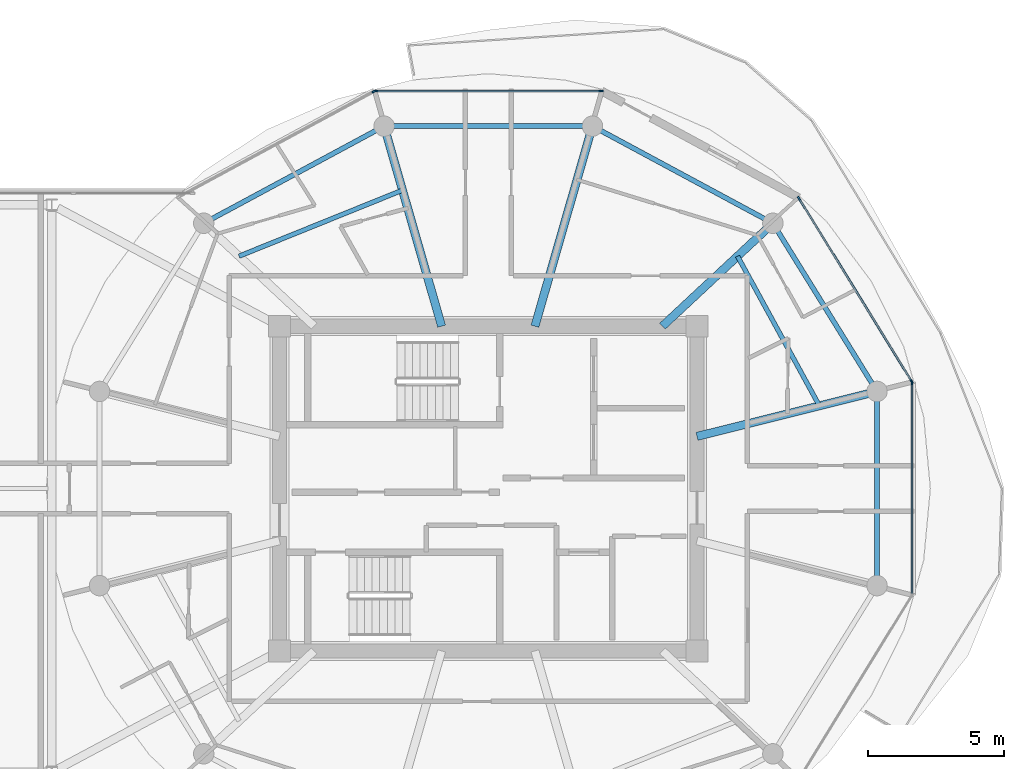
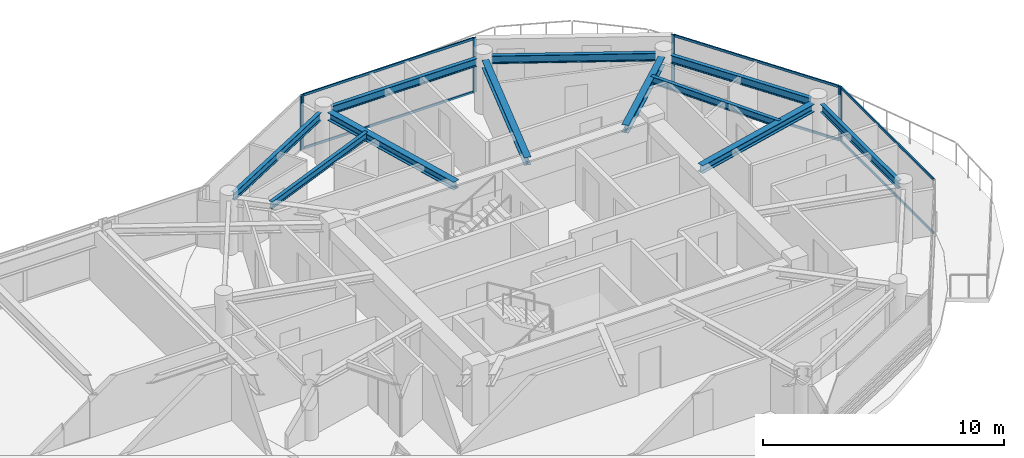
# One storey, part 10 of 23: 12 members, 11 beams, 4 elements without a shape of their own.
"""IFC4 building model written with IfcOpenShell, lengths in metres."""

from ifc_helpers import new_model, si_unit, direction, frame, origin, origin_2d, place, context, subcontext, project, spatial, rectangle, i_section, extrude, source, transform, mapped, material, layer, layer_set, material_profile, profile_set, type_object, type_shapes, element, aggregate, save


model = new_model("IFC4")

# Units and contexts
model_context = context("Model", 3, precision=1e-05, world=origin(), true_north=direction((0.0, 1.0)))
body_context = subcontext(model_context, "Body", "Model", "MODEL_VIEW")
ifc_project = project(units=[si_unit("LENGTHUNIT", "METRE"), si_unit("AREAUNIT", "SQUARE_METRE"), si_unit("VOLUMEUNIT", "CUBIC_METRE"), si_unit("PLANEANGLEUNIT", "RADIAN"), si_unit("MASSUNIT", "GRAM", prefix="KILO")], contexts=[model_context])

# Site, building, storey
site_placement = place(None, origin())
site = spatial("IfcSite", under=ifc_project, at=site_placement, CompositionType="ELEMENT")
building_placement = place(site_placement, origin())
building = spatial("IfcBuilding", under=site, at=building_placement, Name="Norrkilde Senior Care Towers", CompositionType="ELEMENT")
storey_placement = place(building_placement, frame((0.0, 0.0, 216.949951171875)))
storey = spatial("IfcBuildingStorey", under=building, at=storey_placement, Name="L67", CompositionType="ELEMENT", Elevation=216.949951171875)

# Beams
ifc_material_1 = material(Name="Steel S355", Category="steel")
ifc_material_profile_1 = material_profile(ifc_material_1, i_section(OverallWidth=0.179931640625, OverallDepth=0.39990234375, WebThickness=0.008544921875, FlangeThickness=0.013427734375, FilletRadius=0.02099609375, at=origin_2d()), Name="IPE 400")
ifc_profile_set_1 = profile_set([ifc_material_profile_1], Name="Steel S355")
beam_type_1 = type_object("IfcBeamType", Name="Perimeter Ring Spandrel Z4 IPE400", PredefinedType="SPANDREL", material=ifc_profile_set_1)
shared_shape_1 = source(origin(), body_context, "Body", "SweptSolid", [
    extrude(i_section(OverallWidth=0.179931640625, OverallDepth=0.39990234375, WebThickness=0.008544921875, FlangeThickness=0.013427734375, FilletRadius=0.02099609375, at=origin_2d()), origin(), (0.0, 0.0, 1.0), 6.58056640625),
])
beam_1_placement = place(storey_placement, frame((42.071044921875, 3.843505859375, 2.56005859375), z_axis=(-0.526529583789, 0.850156807533, 0.0), x_axis=(-0.850156807533, -0.526529583789, 0.0)))
element("IfcBeam", 1, at=beam_1_placement, inside=storey, type_object=beam_type_1, Name="L67 Drum E Perimeter Spandrel 01", PredefinedType="SPANDREL", context=body_context, shape_type="MappedRepresentation", body=[
    mapped(shared_shape_1, transform((0.0, 0.0, 0.0), x_axis=(1.0, 0.0, 0.0), y_axis=(0.0, 1.0, 0.0), z_axis=(0.0, 0.0, 1.0), scale=1.0)),
])
ifc_material_profile_2 = material_profile(ifc_material_1, i_section(OverallWidth=0.300048828125, OverallDepth=0.39990234375, WebThickness=0.013427734375, FlangeThickness=0.02392578125, FilletRadius=0.027099609375, at=origin_2d()), Name="HEB 400")
ifc_profile_set_2 = profile_set([ifc_material_profile_2], Name="Steel S355")
beam_type_2 = type_object("IfcBeamType", Name="Radial Floor Beam Z4 HEB400", PredefinedType="BEAM", material=ifc_profile_set_2)
shared_shape_2 = source(origin(), body_context, "Body", "SweptSolid", [
    extrude(i_section(OverallWidth=0.300048828125, OverallDepth=0.39990234375, WebThickness=0.013427734375, FlangeThickness=0.02392578125, FilletRadius=0.027099609375, at=origin_2d()), origin(), (0.0, 0.0, 1.0), 6.465087890625),
])
beam_2_placement = place(storey_placement, frame((35.64990234375, 1.910888671875, 2.56005859375), z_axis=(0.970195788563, 0.242322371758, 0.0), x_axis=(-0.242322371758, 0.970195788563, 0.0)))
element("IfcBeam", 2, at=beam_2_placement, inside=storey, type_object=beam_type_2, Name="L67 Drum E Radial Floor Beam 01", PredefinedType="BEAM", context=body_context, shape_type="MappedRepresentation", body=[
    mapped(shared_shape_2, transform((0.0, 0.0, 0.0), x_axis=(1.0, 0.0, 0.0), y_axis=(0.0, 1.0, 0.0), z_axis=(0.0, 0.0, 1.0), scale=1.0)),
])
shared_shape_3 = source(origin(), body_context, "Body", "SweptSolid", [
    extrude(i_section(OverallWidth=0.179931640625, OverallDepth=0.39990234375, WebThickness=0.008544921875, FlangeThickness=0.013427734375, FilletRadius=0.02099609375, at=origin_2d()), origin(), (0.0, 0.0, 1.0), 6.839111328125),
])
for number, where, z_axis, x_axis, name in (
    (3, (38.134765625, 9.881591796875, 2.56005859375), (-0.880563930732, 0.473927382511, 0.0), (-0.473927382511, -0.880563930732, 0.0), "L67 Drum E Perimeter Spandrel 02"),
    (4, (23.887451171875, 13.122802734375, 2.56005859375), (-0.880563930732, -0.473927382511, 0.0), (0.473927382511, -0.880563930732, 0.0), "L67 Drum E Perimeter Spandrel 04"),
):
    element("IfcBeam", number, at=place(storey_placement, frame(where, z_axis=z_axis, x_axis=x_axis)), inside=storey, type_object=beam_type_1, Name=name, PredefinedType="SPANDREL", context=body_context, shape_type="MappedRepresentation", body=[
        mapped(shared_shape_3, transform((0.0, 0.0, 0.0), x_axis=(1.0, 0.0, 0.0), y_axis=(0.0, 1.0, 0.0), z_axis=(0.0, 0.0, 1.0), scale=1.0)),
    ])
shared_shape_4 = source(origin(), body_context, "Body", "SweptSolid", [
    extrude(i_section(OverallWidth=0.300048828125, OverallDepth=0.39990234375, WebThickness=0.013427734375, FlangeThickness=0.02392578125, FilletRadius=0.027099609375, at=origin_2d()), origin(), (0.0, 0.0, 1.0), 5.197998046875),
])
beam_3_placement = place(storey_placement, frame((34.3828125, 5.949951171875, 2.56005859375), z_axis=(0.731448749334, 0.681896419625, 0.0), x_axis=(-0.681896419625, 0.731448749334, 0.0)))
element("IfcBeam", 5, at=beam_3_placement, inside=storey, type_object=beam_type_2, Name="L67 Drum E Radial Floor Beam 02", PredefinedType="BEAM", context=body_context, shape_type="MappedRepresentation", body=[
    mapped(shared_shape_4, transform((0.0, 0.0, 0.0), x_axis=(1.0, 0.0, 0.0), y_axis=(0.0, 1.0, 0.0), z_axis=(0.0, 0.0, 1.0), scale=1.0)),
])
shared_shape_5 = source(origin(), body_context, "Body", "SweptSolid", [
    extrude(i_section(OverallWidth=0.179931640625, OverallDepth=0.39990234375, WebThickness=0.008544921875, FlangeThickness=0.013427734375, FilletRadius=0.02099609375, at=origin_2d()), origin(), (0.0, 0.0, 1.0), 6.96533203125),
])
beam_4_placement = place(storey_placement, frame((31.482666015625, 13.281494140625, 2.56005859375), z_axis=(-1.0, 0.0, 0.0), x_axis=(0.0, -1.0, 0.0)))
element("IfcBeam", 6, at=beam_4_placement, inside=storey, type_object=beam_type_1, Name="L67 Drum E Perimeter Spandrel 03", PredefinedType="SPANDREL", context=body_context, shape_type="MappedRepresentation", body=[
    mapped(shared_shape_5, transform((0.0, 0.0, 0.0), x_axis=(1.0, 0.0, 0.0), y_axis=(0.0, 1.0, 0.0), z_axis=(0.0, 0.0, 1.0), scale=1.0)),
])
shared_shape_6 = source(origin(), body_context, "Body", "SweptSolid", [
    extrude(i_section(OverallWidth=0.300048828125, OverallDepth=0.39990234375, WebThickness=0.013427734375, FlangeThickness=0.02392578125, FilletRadius=0.027099609375, at=origin_2d()), origin(), (0.0, 0.0, 1.0), 7.29345703125),
])
type_shapes(beam_type_2, [shared_shape_2, shared_shape_4, shared_shape_6])
for number, where, z_axis, x_axis, name in (
    (7, (29.710205078125, 5.949951171875, 2.56005859375), (0.276263751906, 0.961081858836, 0.0), (-0.961081858836, 0.276263751906, 0.0), "L67 Drum E Radial Floor Beam 03"),
    (8, (26.289794921875, 5.949951171875, 2.56005859375), (-0.276263751906, 0.961081858836, 0.0), (-0.961081858836, -0.276263751906, 0.0), "L67 Drum E Radial Floor Beam 04"),
):
    element("IfcBeam", number, at=place(storey_placement, frame(where, z_axis=z_axis, x_axis=x_axis)), inside=storey, type_object=beam_type_2, Name=name, PredefinedType="BEAM", context=body_context, shape_type="MappedRepresentation", body=[
        mapped(shared_shape_6, transform((0.0, 0.0, 0.0), x_axis=(1.0, 0.0, 0.0), y_axis=(0.0, 1.0, 0.0), z_axis=(0.0, 0.0, 1.0), scale=1.0)),
    ])
shared_shape_7 = source(origin(), body_context, "Body", "SweptSolid", [
    extrude(i_section(OverallWidth=0.179931640625, OverallDepth=0.39990234375, WebThickness=0.008544921875, FlangeThickness=0.013427734375, FilletRadius=0.02099609375, at=origin_2d()), origin(), (0.0, 0.0, 1.0), 6.44775390625),
])
type_shapes(beam_type_1, [shared_shape_1, shared_shape_3, shared_shape_5, shared_shape_7])
beam_5_placement = place(storey_placement, frame((42.247314453125, -3.223876953125, 2.56005859375), z_axis=(0.0, 1.0, 0.0), x_axis=(-1.0, 0.0, 0.0)))
element("IfcBeam", 9, at=beam_5_placement, inside=storey, type_object=beam_type_1, Name="L67 Drum E Perimeter Spandrel 12", PredefinedType="SPANDREL", context=body_context, shape_type="MappedRepresentation", body=[
    mapped(shared_shape_7, transform((0.0, 0.0, 0.0), x_axis=(1.0, 0.0, 0.0), y_axis=(0.0, 1.0, 0.0), z_axis=(0.0, 0.0, 1.0), scale=1.0)),
])
ifc_material_profile_3 = material_profile(ifc_material_1, i_section(OverallWidth=0.169921875, OverallDepth=0.360107421875, WebThickness=0.008056640625, FlangeThickness=0.0126953125, FilletRadius=0.01806640625, at=origin_2d()), Name="IPE 360")
ifc_profile_set_3 = profile_set([ifc_material_profile_3], Name="Steel S355")
beam_type_3 = type_object("IfcBeamType", Name="Secondary Floor Joist IPE360", PredefinedType="JOIST", material=ifc_profile_set_3)
shared_shape_8 = source(origin(), body_context, "Body", "SweptSolid", [
    extrude(i_section(OverallWidth=0.169921875, OverallDepth=0.360107421875, WebThickness=0.008056640625, FlangeThickness=0.0126953125, FilletRadius=0.01806640625, at=origin_2d()), origin(), (0.0, 0.0, 1.0), 6.461669921875),
])
beam_6_placement = place(storey_placement, frame((24.856689453125, 10.935302734375, 2.580078125), z_axis=(-0.927225942298, -0.374502405772, 0.0), x_axis=(0.374502405772, -0.927225942298, 0.0)))
element("IfcBeam", 10, at=beam_6_placement, inside=storey, type_object=beam_type_3, Name="L67 Drum E Secondary Floor Joist 2", PredefinedType="JOIST", context=body_context, shape_type="MappedRepresentation", body=[
    mapped(shared_shape_8, transform((0.0, 0.0, 0.0), x_axis=(1.0, 0.0, 0.0), y_axis=(0.0, 1.0, 0.0), z_axis=(0.0, 0.0, 1.0), scale=1.0)),
])
shared_shape_9 = source(origin(), body_context, "Body", "SweptSolid", [
    extrude(i_section(OverallWidth=0.169921875, OverallDepth=0.360107421875, WebThickness=0.008056640625, FlangeThickness=0.0126953125, FilletRadius=0.01806640625, at=origin_2d()), origin(), (0.0, 0.0, 1.0), 6.25146484375),
])
type_shapes(beam_type_3, [shared_shape_8, shared_shape_9])
beam_7_placement = place(storey_placement, frame((40.13623046875, 3.031494140625, 2.580078125), z_axis=(-0.480115752653, 0.877205143655, 0.0), x_axis=(-0.877205143655, -0.480115752653, 0.0)))
element("IfcBeam", 11, at=beam_7_placement, inside=storey, type_object=beam_type_3, Name="L67 Drum E Secondary Floor Joist 1", PredefinedType="JOIST", context=body_context, shape_type="MappedRepresentation", body=[
    mapped(shared_shape_9, transform((0.0, 0.0, 0.0), x_axis=(1.0, 0.0, 0.0), y_axis=(0.0, 1.0, 0.0), z_axis=(0.0, 0.0, 1.0), scale=1.0)),
])

# Curtain wall, members
ifc_material_2 = material(Name="Triple Low-E Insulated Glazing", Category="glass")
ifc_layer = layer(ifc_material_2, 0.18505859375)
ifc_layer_set = layer_set([ifc_layer], Name="Triple Low-E Insulated Glazing")
curtain_wall_type = type_object("IfcCurtainWallType", Name="CW6 Zone 4 Crown Pavilion Curtain Wall", PredefinedType="NOTDEFINED", material=ifc_layer_set)
curtain_wall_1_placement = place(storey_placement, origin())
curtain_wall_1 = element("IfcCurtainWall", 12, at=curtain_wall_1_placement, inside=storey, type_object=curtain_wall_type, Name="L67 Drum E Curtain Wall 00", PredefinedType="NOTDEFINED")
ifc_material_3 = material(Name="Anodised Aluminium", Category="aluminium")
ifc_material_profile_4 = material_profile(ifc_material_3, rectangle(XDim=0.06005859375, YDim=0.1201171875, at=origin_2d()), Name="ALU TRAN 60x120")
ifc_profile_set_4 = profile_set([ifc_material_profile_4], Name="Anodised Aluminium")
member_type_1 = type_object("IfcMemberType", Name="Curtain Wall Transom Typical 60x120", PredefinedType="USERDEFINED", material=ifc_profile_set_4)
shared_shape_10 = source(origin(), body_context, "Body", "SweptSolid", [
    extrude(rectangle(XDim=0.06005859375, YDim=0.1201171875, at=origin_2d()), origin(), (0.0, 0.0, 1.0), 7.808837890625),
])
member_1_placement = place(storey_placement, frame((39.404296875, 10.60791015625, 0.030029296875), z_axis=(0.524250924101, -0.851563837055, 0.0), x_axis=(0.851563837055, 0.524250924101, 0.0)))
member_1 = element("IfcMember", 13, at=member_1_placement, type_object=member_type_1, Name="CW-6 transom 1.1", ObjectType="TRANSOM", PredefinedType="USERDEFINED", context=body_context, shape_type="MappedRepresentation", body=[
    mapped(shared_shape_10, transform((0.0, 0.0, 0.0), x_axis=(1.0, 0.0, 0.0), y_axis=(0.0, 1.0, 0.0), z_axis=(0.0, 0.0, 1.0), scale=1.0)),
])
member_2_placement = place(storey_placement, frame((39.404296875, 10.60791015625, 2.72998046875), z_axis=(0.524250924101, -0.851563837055, 0.0), x_axis=(0.851563837055, 0.524250924101, 0.0)))
member_2 = element("IfcMember", 14, at=member_2_placement, type_object=member_type_1, Name="CW-6 transom 1.2", ObjectType="TRANSOM", PredefinedType="USERDEFINED", context=body_context, shape_type="MappedRepresentation", body=[
    mapped(shared_shape_10, transform((0.0, 0.0, 0.0), x_axis=(1.0, 0.0, 0.0), y_axis=(0.0, 1.0, 0.0), z_axis=(0.0, 0.0, 1.0), scale=1.0)),
])

curtain_wall_2_placement = place(storey_placement, origin())
curtain_wall_2 = element("IfcCurtainWall", 15, at=curtain_wall_2_placement, inside=storey, type_object=curtain_wall_type, Name="L67 Drum E Curtain Wall 02", PredefinedType="NOTDEFINED")
shared_shape_11 = source(origin(), body_context, "Body", "SweptSolid", [
    extrude(rectangle(XDim=0.06005859375, YDim=0.1201171875, at=origin_2d()), origin(), (0.0, 0.0, 1.0), 8.19384765625),
])
member_3_placement = place(storey_placement, frame((23.903076171875, 14.566162109375, 0.030029296875), z_axis=(1.0, 0.0, 0.0), x_axis=(0.0, 1.0, 0.0)))
member_3 = element("IfcMember", 16, at=member_3_placement, type_object=member_type_1, Name="CW-6 transom 1.1", ObjectType="TRANSOM", PredefinedType="USERDEFINED", context=body_context, shape_type="MappedRepresentation", body=[
    mapped(shared_shape_11, transform((0.0, 0.0, 0.0), x_axis=(1.0, 0.0, 0.0), y_axis=(0.0, 1.0, 0.0), z_axis=(0.0, 0.0, 1.0), scale=1.0)),
])
member_4_placement = place(storey_placement, frame((23.903076171875, 14.566162109375, 2.72998046875), z_axis=(1.0, 0.0, 0.0), x_axis=(0.0, 1.0, 0.0)))
member_4 = element("IfcMember", 17, at=member_4_placement, type_object=member_type_1, Name="CW-6 transom 1.2", ObjectType="TRANSOM", PredefinedType="USERDEFINED", context=body_context, shape_type="MappedRepresentation", body=[
    mapped(shared_shape_11, transform((0.0, 0.0, 0.0), x_axis=(1.0, 0.0, 0.0), y_axis=(0.0, 1.0, 0.0), z_axis=(0.0, 0.0, 1.0), scale=1.0)),
])

curtain_wall_3_placement = place(storey_placement, origin())
curtain_wall_3 = element("IfcCurtainWall", 18, at=curtain_wall_3_placement, inside=storey, type_object=curtain_wall_type, Name="L67 Drum E Curtain Wall 11", PredefinedType="NOTDEFINED")
shared_shape_12 = source(origin(), body_context, "Body", "SweptSolid", [
    extrude(rectangle(XDim=0.06005859375, YDim=0.1201171875, at=origin_2d()), origin(), (0.0, 0.0, 1.0), 7.67578125),
])
type_shapes(member_type_1, [shared_shape_10, shared_shape_11, shared_shape_12])
member_5_placement = place(storey_placement, frame((43.531982421875, 3.837890625, 0.030029296875), z_axis=(0.0, -1.0, 0.0), x_axis=(1.0, 0.0, 0.0)))
member_5 = element("IfcMember", 19, at=member_5_placement, type_object=member_type_1, Name="CW-6 transom 1.1", ObjectType="TRANSOM", PredefinedType="USERDEFINED", context=body_context, shape_type="MappedRepresentation", body=[
    mapped(shared_shape_12, transform((0.0, 0.0, 0.0), x_axis=(1.0, 0.0, 0.0), y_axis=(0.0, 1.0, 0.0), z_axis=(0.0, 0.0, 1.0), scale=1.0)),
])
member_6_placement = place(storey_placement, frame((43.531982421875, 3.837890625, 2.72998046875), z_axis=(0.0, -1.0, 0.0), x_axis=(1.0, 0.0, 0.0)))
member_6 = element("IfcMember", 20, at=member_6_placement, type_object=member_type_1, Name="CW-6 transom 1.2", ObjectType="TRANSOM", PredefinedType="USERDEFINED", context=body_context, shape_type="MappedRepresentation", body=[
    mapped(shared_shape_12, transform((0.0, 0.0, 0.0), x_axis=(1.0, 0.0, 0.0), y_axis=(0.0, 1.0, 0.0), z_axis=(0.0, 0.0, 1.0), scale=1.0)),
])

# Member
ifc_material_profile_5 = material_profile(ifc_material_3, rectangle(XDim=0.06494140625, YDim=0.14990234375, at=origin_2d()), Name="ALU MULL 65x150")
ifc_profile_set_5 = profile_set([ifc_material_profile_5], Name="Anodised Aluminium")
member_type_2 = type_object("IfcMemberType", Name="Curtain Wall Mullion Z3-Z4 65x150", PredefinedType="MULLION", material=ifc_profile_set_5)
shared_shape_13 = source(origin(), body_context, "Body", "SweptSolid", [
    extrude(rectangle(XDim=0.06494140625, YDim=0.14990234375, at=origin_2d()), origin(), (0.0, 0.0, 1.0), 2.760009765625),
])
type_shapes(member_type_2, [shared_shape_13])
member_7_placement = place(storey_placement, frame((39.38720703125, 10.635498046875, 0.0), z_axis=(0.0, 0.0, 1.0), x_axis=(0.851562727283, 0.524252726748, 0.0)))
member_7 = element("IfcMember", 21, at=member_7_placement, type_object=member_type_2, Name="CW-6 mullion 1", PredefinedType="MULLION", context=body_context, shape_type="MappedRepresentation", body=[
    mapped(shared_shape_13, transform((0.0, 0.0, 0.0), x_axis=(1.0, 0.0, 0.0), y_axis=(0.0, 1.0, 0.0), z_axis=(0.0, 0.0, 1.0), scale=1.0)),
])

member_8_placement = place(storey_placement, frame((43.51513671875, 3.9306640625, 0.0), z_axis=(0.0, 0.0, 1.0), x_axis=(0.851562727283, 0.524252726748, 0.0)))
member_8 = element("IfcMember", 22, at=member_8_placement, type_object=member_type_2, Name="CW-6 mullion 2", PredefinedType="MULLION", context=body_context, shape_type="MappedRepresentation", body=[
    mapped(shared_shape_13, transform((0.0, 0.0, 0.0), x_axis=(1.0, 0.0, 0.0), y_axis=(0.0, 1.0, 0.0), z_axis=(0.0, 0.0, 1.0), scale=1.0)),
])

aggregate(curtain_wall_1, [member_7, member_8, member_1, member_2])

member_9_placement = place(storey_placement, frame((23.87060546875, 14.566162109375, 0.0), z_axis=(0.0, 0.0, 1.0), x_axis=(0.0, 1.0, 0.0)))
member_9 = element("IfcMember", 23, at=member_9_placement, type_object=member_type_2, Name="CW-6 mullion 1", PredefinedType="MULLION", context=body_context, shape_type="MappedRepresentation", body=[
    mapped(shared_shape_13, transform((0.0, 0.0, 0.0), x_axis=(1.0, 0.0, 0.0), y_axis=(0.0, 1.0, 0.0), z_axis=(0.0, 0.0, 1.0), scale=1.0)),
])

member_10_placement = place(storey_placement, frame((32.12939453125, 14.566162109375, 0.0), z_axis=(0.0, 0.0, 1.0), x_axis=(0.0, 1.0, 0.0)))
member_10 = element("IfcMember", 24, at=member_10_placement, type_object=member_type_2, Name="CW-6 mullion 2", PredefinedType="MULLION", context=body_context, shape_type="MappedRepresentation", body=[
    mapped(shared_shape_13, transform((0.0, 0.0, 0.0), x_axis=(1.0, 0.0, 0.0), y_axis=(0.0, 1.0, 0.0), z_axis=(0.0, 0.0, 1.0), scale=1.0)),
])

aggregate(curtain_wall_2, [member_9, member_10, member_3, member_4])

# Curtain wall, member
curtain_wall_4_placement = place(storey_placement, origin())
curtain_wall_4 = element("IfcCurtainWall", 25, at=curtain_wall_4_placement, inside=storey, type_object=curtain_wall_type, Name="L67 Drum E Curtain Wall 03", PredefinedType="NOTDEFINED")
member_11_placement = place(storey_placement, frame((23.8095703125, 14.55078125, 0.0), z_axis=(0.0, 0.0, 1.0), x_axis=(-0.476132676136, 0.879373455772, 0.0)))
member_11 = element("IfcMember", 26, at=member_11_placement, type_object=member_type_2, Name="CW-6 mullion 2", PredefinedType="MULLION", context=body_context, shape_type="MappedRepresentation", body=[
    mapped(shared_shape_13, transform((0.0, 0.0, 0.0), x_axis=(1.0, 0.0, 0.0), y_axis=(0.0, 1.0, 0.0), z_axis=(0.0, 0.0, 1.0), scale=1.0)),
])
aggregate(curtain_wall_4, [member_11])

# Member
member_12_placement = place(storey_placement, frame((43.531982421875, 3.87060546875, 0.0), z_axis=(0.0, 0.0, 1.0), x_axis=(1.0, 0.0, 0.0)))
member_12 = element("IfcMember", 27, at=member_12_placement, type_object=member_type_2, Name="CW-6 mullion 1", PredefinedType="MULLION", context=body_context, shape_type="MappedRepresentation", body=[
    mapped(shared_shape_13, transform((0.0, 0.0, 0.0), x_axis=(1.0, 0.0, 0.0), y_axis=(0.0, 1.0, 0.0), z_axis=(0.0, 0.0, 1.0), scale=1.0)),
])

aggregate(curtain_wall_3, [member_12, member_5, member_6])

save(model, "model.ifc")
